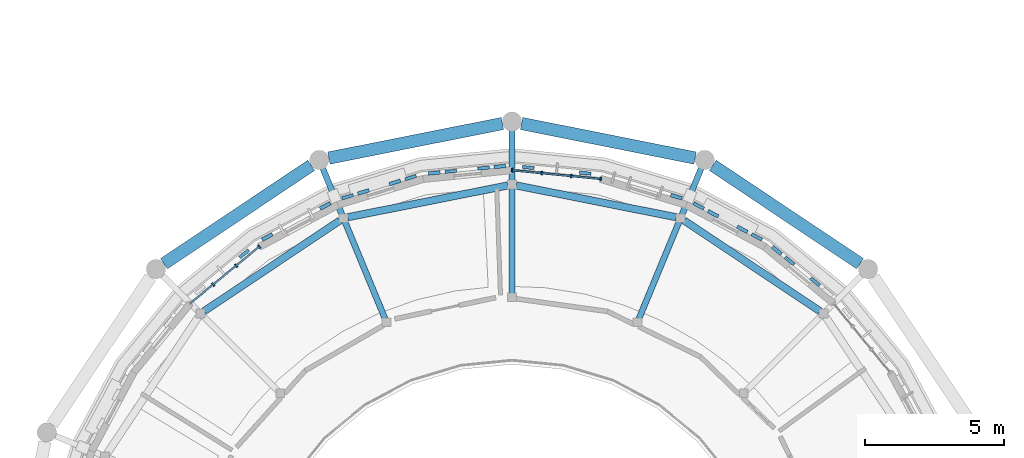
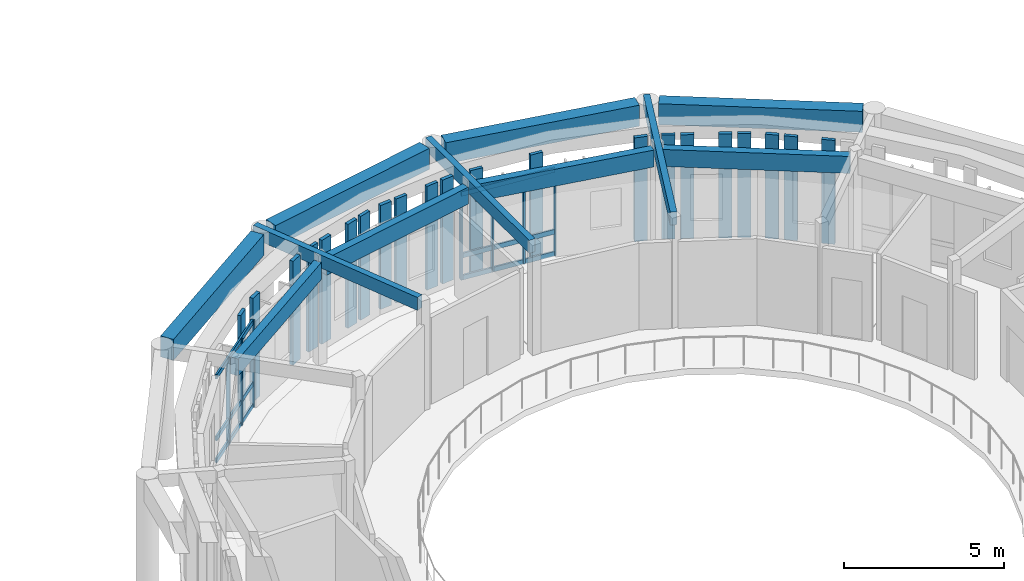
# One storey, part 16 of 80: 37 members, 8 beams, 2 elements without a shape of their own.
"""IFC4 building model written with IfcOpenShell, lengths in metres."""

from ifc_helpers import new_model, si_unit, direction, frame, origin, origin_2d, place, context, subcontext, project, spatial, rectangle, extrude, material, layer, layer_set, material_profile, profile_set, type_object, element, aggregate, save


model = new_model("IFC4")

# Units and contexts
model_context = context("Model", 3, precision=1e-05, world=origin(), true_north=direction((0.0, 1.0)))
body_context = subcontext(model_context, "Body", "Model", "MODEL_VIEW")
ifc_project = project(units=[si_unit("LENGTHUNIT", "METRE"), si_unit("AREAUNIT", "SQUARE_METRE"), si_unit("VOLUMEUNIT", "CUBIC_METRE"), si_unit("PLANEANGLEUNIT", "RADIAN"), si_unit("MASSUNIT", "GRAM", prefix="KILO")], contexts=[model_context])

# Site, building, storey
site_placement = place(None, origin())
site = spatial("IfcSite", under=ifc_project, at=site_placement, CompositionType="ELEMENT")
building_placement = place(site_placement, origin())
building = spatial("IfcBuilding", under=site, at=building_placement, Name="Aldenvaro Health Centre", CompositionType="ELEMENT")
storey_placement = place(building_placement, frame((0.0, 0.0, 4.550048828125)))
storey = spatial("IfcBuildingStorey", under=building, at=storey_placement, Name="L01", CompositionType="ELEMENT", Elevation=4.550048828125)

# Beams
ifc_material_1 = material(Name="Glulam GL28h", Category="wood")
ifc_material_profile_1 = material_profile(ifc_material_1, rectangle(XDim=0.264892578125, YDim=0.64599609375, at=origin_2d()), Name="GL 265x646", Category="wood")
ifc_profile_set_1 = profile_set([ifc_material_profile_1], Name="Glulam GL28h")
beam_type_1 = type_object("IfcBeamType", Name="BM-GL-646", PredefinedType="SPANDREL", material=ifc_profile_set_1)
beam_1_placement = place(storey_placement, frame((98.097900390625, 31.31591796875, 3.636962890625), z_axis=(-0.831411121893, 0.555657760131, 0.0), x_axis=(-0.555657760131, -0.831411121893, 0.0)))
element("IfcBeam", 1, at=beam_1_placement, inside=storey, type_object=beam_type_1, Name="D1 L01 perimeter spandrel 03", PredefinedType="SPANDREL", context=body_context, shape_type="SweptSolid", body=[
    extrude(rectangle(XDim=0.264892578125, YDim=0.64599609375, at=origin_2d()), origin(), (0.0, 0.0, 1.0), 5.88134765625),
])
for number, where, z_axis, x_axis, name in (
    (2, (92.923095703125, 34.701904296875, 3.636962890625), (-0.980795597476, 0.19503844742, 0.0), (-0.19503844742, -0.980795597476, 0.0), "D1 L01 perimeter spandrel 04"),
    (3, (86.845947265625, 35.84912109375, 3.636962890625), (-0.980795597476, -0.19503844742, 0.0), (0.19503844742, -0.980795597476, 0.0), "D1 L01 perimeter spandrel 05"),
):
    element("IfcBeam", number, at=place(storey_placement, frame(where, z_axis=z_axis, x_axis=x_axis)), inside=storey, type_object=beam_type_1, Name=name, PredefinedType="SPANDREL", context=body_context, shape_type="SweptSolid", body=[
        extrude(rectangle(XDim=0.264892578125, YDim=0.64599609375, at=origin_2d()), origin(), (0.0, 0.0, 1.0), 5.882080078125),
    ])
beam_2_placement = place(storey_placement, frame((80.7919921875, 34.583984375, 3.636962890625), z_axis=(-0.831411121893, -0.555657760131, 0.0), x_axis=(0.555657760131, -0.831411121893, 0.0)))
element("IfcBeam", 4, at=beam_2_placement, inside=storey, type_object=beam_type_1, Name="D1 L01 perimeter spandrel 06", PredefinedType="SPANDREL", context=body_context, shape_type="SweptSolid", body=[
    extrude(rectangle(XDim=0.264892578125, YDim=0.64599609375, at=origin_2d()), origin(), (0.0, 0.0, 1.0), 5.88134765625),
])
ifc_material_2 = material(Name="Concrete f'c 40 MPa", Category="concrete")
ifc_material_profile_2 = material_profile(ifc_material_2, rectangle(XDim=0.449951171875, YDim=0.800048828125, at=origin_2d()), Name="RC 450x800", Category="concrete")
ifc_profile_set_2 = profile_set([ifc_material_profile_2], Name="Concrete f'c 40 MPa")
beam_type_2 = type_object("IfcBeamType", Name="BM-RC-800", PredefinedType="SPANDREL", material=ifc_profile_set_2)
beam_3_placement = place(storey_placement, frame((99.54296875, 33.028076171875, 3.800048828125), z_axis=(-0.831425894818, 0.555635655286, 0.0), x_axis=(-0.555635655286, -0.831425894818, 0.0)))
element("IfcBeam", 5, at=beam_3_placement, inside=storey, type_object=beam_type_2, Name="Waiting Rotunda Peristyle Entablature Ring 03", PredefinedType="SPANDREL", context=body_context, shape_type="SweptSolid", body=[
    extrude(rectangle(XDim=0.449951171875, YDim=0.800048828125, at=origin_2d()), origin(), (0.0, 0.0, 1.0), 6.381591796875),
])
for number, where, z_axis, x_axis, name in (
    (6, (93.60302734375, 36.8359375, 3.800048828125), (-0.980758279568, 0.195226015324, 0.0), (-0.195226015324, -0.980758279568, 0.0), "Waiting Rotunda Peristyle Entablature Ring 04"),
    (7, (86.656982421875, 38.08203125, 3.800048828125), (-0.980758279568, -0.195226015324, 0.0), (0.195226015324, -0.980758279568, 0.0), "Waiting Rotunda Peristyle Entablature Ring 05"),
):
    element("IfcBeam", number, at=place(storey_placement, frame(where, z_axis=z_axis, x_axis=x_axis)), inside=storey, type_object=beam_type_2, Name=name, PredefinedType="SPANDREL", context=body_context, shape_type="SweptSolid", body=[
        extrude(rectangle(XDim=0.449951171875, YDim=0.800048828125, at=origin_2d()), origin(), (0.0, 0.0, 1.0), 6.3828125),
    ])
beam_4_placement = place(storey_placement, frame((79.762939453125, 36.573974609375, 3.800048828125), z_axis=(-0.831425894818, -0.555635655286, 0.0), x_axis=(0.555635655286, -0.831425894818, 0.0)))
element("IfcBeam", 8, at=beam_4_placement, inside=storey, type_object=beam_type_2, Name="Waiting Rotunda Peristyle Entablature Ring 06", PredefinedType="SPANDREL", context=body_context, shape_type="SweptSolid", body=[
    extrude(rectangle(XDim=0.449951171875, YDim=0.800048828125, at=origin_2d()), origin(), (0.0, 0.0, 1.0), 6.381591796875),
])

# Curtain wall, members
ifc_material_3 = material(Name="Anodised Aluminium 6063-T6", Category="aluminium")
ifc_layer = layer(ifc_material_3, 0.179931640625, Name="Anodised Aluminium 6063-T6", Category="aluminium")
ifc_layer_set = layer_set([ifc_layer], Name="Anodised Aluminium 6063-T6")
curtain_wall_type = type_object("IfcCurtainWallType", Name="CW-ROT-01", PredefinedType="NOTDEFINED", material=ifc_layer_set)
curtain_wall_1_placement = place(storey_placement, origin())
curtain_wall_1 = element("IfcCurtainWall", 9, at=curtain_wall_1_placement, inside=storey, type_object=curtain_wall_type, Name="D1 L01 curtain wall bay 21", PredefinedType="NOTDEFINED")
ifc_material_profile_3 = material_profile(ifc_material_3, rectangle(XDim=0.06005859375, YDim=0.135009765625, at=origin_2d()), Name="ALU 60x135", Category="aluminium")
ifc_profile_set_3 = profile_set([ifc_material_profile_3], Name="Anodised Aluminium 6063-T6")
member_type_1 = type_object("IfcMemberType", Name="CWM-150", PredefinedType="MULLION", material=ifc_profile_set_3)
member_1_placement = place(storey_placement, frame((76.23193359375, 32.277099609375, 0.0), z_axis=(0.0, 0.0, 1.0), x_axis=(0.773194586776, 0.634168850528, 0.0)))
member_1 = element("IfcMember", 10, at=member_1_placement, type_object=member_type_1, Name="D1 L01 curtain wall bay 21 mullion 2", PredefinedType="MULLION", context=body_context, shape_type="SweptSolid", body=[
    extrude(rectangle(XDim=0.06005859375, YDim=0.135009765625, at=origin_2d()), origin(), (0.0, 0.0, 1.0), 3.31396484375),
])
member_2_placement = place(storey_placement, frame((77.06005859375, 32.9560546875, 0.0), z_axis=(0.0, 0.0, 1.0), x_axis=(0.773194586776, 0.634168850528, 0.0)))
member_2 = element("IfcMember", 11, at=member_2_placement, type_object=member_type_1, Name="D1 L01 curtain wall bay 21 mullion 3", PredefinedType="MULLION", context=body_context, shape_type="SweptSolid", body=[
    extrude(rectangle(XDim=0.06005859375, YDim=0.135009765625, at=origin_2d()), origin(), (0.0, 0.0, 1.0), 3.31396484375),
])
member_3_placement = place(storey_placement, frame((77.888916015625, 33.635986328125, 0.0), z_axis=(0.0, 0.0, 1.0), x_axis=(0.773194586776, 0.634168850528, 0.0)))
member_3 = element("IfcMember", 12, at=member_3_placement, type_object=member_type_1, Name="D1 L01 curtain wall bay 21 mullion 4", PredefinedType="MULLION", context=body_context, shape_type="SweptSolid", body=[
    extrude(rectangle(XDim=0.06005859375, YDim=0.135009765625, at=origin_2d()), origin(), (0.0, 0.0, 1.0), 3.31396484375),
])

curtain_wall_2_placement = place(storey_placement, origin())
curtain_wall_2 = element("IfcCurtainWall", 13, at=curtain_wall_2_placement, inside=storey, type_object=curtain_wall_type, Name="D1 L01 curtain wall bay 25", PredefinedType="NOTDEFINED")
member_4_placement = place(storey_placement, frame((87.0, 36.39990234375, 0.0), z_axis=(0.0, 0.0, 1.0), x_axis=(0.995186971968, -0.097994340783, 0.0)))
member_4 = element("IfcMember", 14, at=member_4_placement, type_object=member_type_1, Name="D1 L01 curtain wall bay 25 mullion 1", PredefinedType="MULLION", context=body_context, shape_type="SweptSolid", body=[
    extrude(rectangle(XDim=0.06005859375, YDim=0.135009765625, at=origin_2d()), origin(), (0.0, 0.0, 1.0), 3.31396484375),
])
member_5_placement = place(storey_placement, frame((88.06591796875, 36.294921875, 0.0), z_axis=(0.0, 0.0, 1.0), x_axis=(0.995186971968, -0.097994340783, 0.0)))
member_5 = element("IfcMember", 15, at=member_5_placement, type_object=member_type_1, Name="D1 L01 curtain wall bay 25 mullion 2", PredefinedType="MULLION", context=body_context, shape_type="SweptSolid", body=[
    extrude(rectangle(XDim=0.06005859375, YDim=0.135009765625, at=origin_2d()), origin(), (0.0, 0.0, 1.0), 3.31396484375),
])
member_6_placement = place(storey_placement, frame((89.133056640625, 36.18994140625, 0.0), z_axis=(0.0, 0.0, 1.0), x_axis=(0.995186971968, -0.097994340783, 0.0)))
member_6 = element("IfcMember", 16, at=member_6_placement, type_object=member_type_1, Name="D1 L01 curtain wall bay 25 mullion 3", PredefinedType="MULLION", context=body_context, shape_type="SweptSolid", body=[
    extrude(rectangle(XDim=0.06005859375, YDim=0.135009765625, at=origin_2d()), origin(), (0.0, 0.0, 1.0), 3.31396484375),
])
member_7_placement = place(storey_placement, frame((90.198974609375, 36.0849609375, 0.0), z_axis=(0.0, 0.0, 1.0), x_axis=(0.995186971968, -0.097994340783, 0.0)))
member_7 = element("IfcMember", 17, at=member_7_placement, type_object=member_type_1, Name="D1 L01 curtain wall bay 25 mullion 4", PredefinedType="MULLION", context=body_context, shape_type="SweptSolid", body=[
    extrude(rectangle(XDim=0.06005859375, YDim=0.135009765625, at=origin_2d()), origin(), (0.0, 0.0, 1.0), 3.31396484375),
])

# Member
ifc_material_profile_4 = material_profile(ifc_material_3, rectangle(XDim=0.06494140625, YDim=0.179931640625, at=origin_2d()), Name="ALU 65x180", Category="aluminium")
ifc_profile_set_4 = profile_set([ifc_material_profile_4], Name="Anodised Aluminium 6063-T6")
member_type_2 = type_object("IfcMemberType", Name="CWT-150", PredefinedType="USERDEFINED", material=ifc_profile_set_4)
member_8_placement = place(storey_placement, frame((75.403076171875, 31.596923828125, 0.06005859375), z_axis=(0.773165020866, 0.634204896314, 0.0), x_axis=(-0.634204896314, 0.773165020866, 0.0)))
member_8 = element("IfcMember", 18, at=member_8_placement, type_object=member_type_2, Name="D1 L01 curtain wall bay 21 transom 1", ObjectType="TRANSOM", PredefinedType="USERDEFINED", context=body_context, shape_type="SweptSolid", body=[
    extrude(rectangle(XDim=0.06494140625, YDim=0.179931640625, at=origin_2d()), origin(), (0.0, 0.0, 1.0), 3.215087890625),
])

member_9_placement = place(storey_placement, frame((75.403076171875, 31.596923828125, 0.89990234375), z_axis=(0.773165020866, 0.634204896314, 0.0), x_axis=(-0.634204896314, 0.773165020866, 0.0)))
member_9 = element("IfcMember", 19, at=member_9_placement, type_object=member_type_2, Name="D1 L01 curtain wall bay 21 transom 2", ObjectType="TRANSOM", PredefinedType="USERDEFINED", context=body_context, shape_type="SweptSolid", body=[
    extrude(rectangle(XDim=0.06494140625, YDim=0.179931640625, at=origin_2d()), origin(), (0.0, 0.0, 1.0), 3.215087890625),
])

member_10_placement = place(storey_placement, frame((75.403076171875, 31.596923828125, 3.25390625), z_axis=(0.773165020866, 0.634204896314, 0.0), x_axis=(-0.634204896314, 0.773165020866, 0.0)))
member_10 = element("IfcMember", 20, at=member_10_placement, type_object=member_type_2, Name="D1 L01 curtain wall bay 21 transom 3", ObjectType="TRANSOM", PredefinedType="USERDEFINED", context=body_context, shape_type="SweptSolid", body=[
    extrude(rectangle(XDim=0.06494140625, YDim=0.179931640625, at=origin_2d()), origin(), (0.0, 0.0, 1.0), 3.215087890625),
])

aggregate(curtain_wall_1, [member_1, member_2, member_3, member_8, member_9, member_10])

member_11_placement = place(storey_placement, frame((87.0, 36.39990234375, 0.06005859375), z_axis=(0.995188673637, -0.097977057849, 0.0), x_axis=(0.097977057849, 0.995188673637, 0.0)))
member_11 = element("IfcMember", 21, at=member_11_placement, type_object=member_type_2, Name="D1 L01 curtain wall bay 25 transom 1", ObjectType="TRANSOM", PredefinedType="USERDEFINED", context=body_context, shape_type="SweptSolid", body=[
    extrude(rectangle(XDim=0.06494140625, YDim=0.179931640625, at=origin_2d()), origin(), (0.0, 0.0, 1.0), 3.21435546875),
])

member_12_placement = place(storey_placement, frame((87.0, 36.39990234375, 0.89990234375), z_axis=(0.995188673637, -0.097977057849, 0.0), x_axis=(0.097977057849, 0.995188673637, 0.0)))
member_12 = element("IfcMember", 22, at=member_12_placement, type_object=member_type_2, Name="D1 L01 curtain wall bay 25 transom 2", ObjectType="TRANSOM", PredefinedType="USERDEFINED", context=body_context, shape_type="SweptSolid", body=[
    extrude(rectangle(XDim=0.06494140625, YDim=0.179931640625, at=origin_2d()), origin(), (0.0, 0.0, 1.0), 3.21435546875),
])

member_13_placement = place(storey_placement, frame((87.0, 36.39990234375, 3.25390625), z_axis=(0.995188673637, -0.097977057849, 0.0), x_axis=(0.097977057849, 0.995188673637, 0.0)))
member_13 = element("IfcMember", 23, at=member_13_placement, type_object=member_type_2, Name="D1 L01 curtain wall bay 25 transom 3", ObjectType="TRANSOM", PredefinedType="USERDEFINED", context=body_context, shape_type="SweptSolid", body=[
    extrude(rectangle(XDim=0.06494140625, YDim=0.179931640625, at=origin_2d()), origin(), (0.0, 0.0, 1.0), 3.21435546875),
])

aggregate(curtain_wall_2, [member_4, member_5, member_6, member_7, member_11, member_12, member_13])

# Members
ifc_material_profile_5 = material_profile(ifc_material_1, rectangle(XDim=0.215087890625, YDim=0.493896484375, at=origin_2d()), Name="GL 215x494", Category="wood")
ifc_profile_set_5 = profile_set([ifc_material_profile_5], Name="Glulam GL28h")
member_type_3 = type_object("IfcMemberType", Name="MEM-RF-494", PredefinedType="RAFTER", material=ifc_profile_set_5)
member_14_placement = place(storey_placement, frame((94.052978515625, 37.027099609375, 3.952880859375), z_axis=(-0.382669478028, -0.923885312463, 0.0), x_axis=(0.923885312463, -0.382669478028, 0.0)))
element("IfcMember", 24, at=member_14_placement, inside=storey, type_object=member_type_3, Name="Waiting Rotunda Cornice Outrigger Rafter 04", PredefinedType="RAFTER", context=body_context, shape_type="SweptSolid", body=[
    extrude(rectangle(XDim=0.215087890625, YDim=0.493896484375, at=origin_2d()), origin(), (0.0, 0.0, 1.0), 6.470458984375),
])
member_15_placement = place(storey_placement, frame((87.0, 38.429931640625, 3.952880859375), z_axis=(0.0, -1.0, 0.0), x_axis=(1.0, 0.0, 0.0)))
element("IfcMember", 25, at=member_15_placement, inside=storey, type_object=member_type_3, Name="Waiting Rotunda Cornice Outrigger Rafter 05", PredefinedType="RAFTER", context=body_context, shape_type="SweptSolid", body=[
    extrude(rectangle(XDim=0.215087890625, YDim=0.493896484375, at=origin_2d()), origin(), (0.0, 0.0, 1.0), 6.469970703125),
])
member_16_placement = place(storey_placement, frame((79.947021484375, 37.027099609375, 3.952880859375), z_axis=(0.382669478028, -0.923885312463, 0.0), x_axis=(0.923885312463, 0.382669478028, 0.0)))
element("IfcMember", 26, at=member_16_placement, inside=storey, type_object=member_type_3, Name="Waiting Rotunda Cornice Outrigger Rafter 06", PredefinedType="RAFTER", context=body_context, shape_type="SweptSolid", body=[
    extrude(rectangle(XDim=0.215087890625, YDim=0.493896484375, at=origin_2d()), origin(), (0.0, 0.0, 1.0), 6.470458984375),
])
ifc_material_profile_6 = material_profile(ifc_material_1, rectangle(XDim=0.114990234375, YDim=0.419921875, at=origin_2d()), Name="GL 115x420", Category="wood")
ifc_profile_set_6 = profile_set([ifc_material_profile_6], Name="Glulam GL28h")
member_type_4 = type_object("IfcMemberType", Name="MEM-SLT-420A", PredefinedType="POST", material=ifc_profile_set_6)
for number, where, z_axis, x_axis, name in (
    (27, (77.345947265625, 33.385009765625, 0.0), (0.0, 0.0, 1.0), (-0.634168850528, 0.773194586776, 0.0), "D1 L01 curtain mullion timber slat 21"),
    (28, (81.074951171875, 35.44091796875, 0.0), (0.0, 0.0, 1.0), (-0.290171396605, 0.95697469172, 0.0), "D1 L01 vertical timber slat 23.1"),
    (29, (83.347900390625, 36.131103515625, 0.0), (0.0, 0.0, 1.0), (-0.290171396605, 0.95697469172, 0.0), "D1 L01 vertical timber slat 23.5"),
    (30, (84.79296875, 36.35791015625, 0.0), (0.0, 0.0, 1.0), (-0.097994340783, 0.995186971968, 0.0), "D1 L01 vertical timber slat 24.2"),
    (31, (85.97412109375, 36.47509765625, 0.0), (0.0, 0.0, 1.0), (-0.097994340783, 0.995186971968, 0.0), "D1 L01 vertical timber slat 24.4"),
    (32, (87.591064453125, 36.492919921875, 0.0), (0.0, 0.0, 1.0), (0.097994340783, 0.995186971968, 0.0), "D1 L01 curtain mullion timber slat 25"),
    (33, (89.637939453125, 36.291015625, 0.0), (0.0, 0.0, 1.0), (0.097994340783, 0.995186971968, 0.0), "D1 L01 curtain mullion timber slat 25"),
    (34, (93.72900390625, 35.10791015625, 0.0), (0.0, 0.0, 1.0), (0.471556629455, 0.88183578132, 0.0), "D1 L01 vertical timber slat 27.1"),
    (35, (95.822998046875, 33.988037109375, 0.0), (0.0, 0.0, 1.0), (0.471556629455, 0.88183578132, 0.0), "D1 L01 vertical timber slat 27.5"),
    (36, (97.006103515625, 33.1279296875, 0.0), (0.0, 0.0, 1.0), (0.634168850528, 0.773194586776, 0.0), "D1 L01 vertical timber slat 28.2"),
    (37, (97.924072265625, 32.375, 0.0), (0.0, 0.0, 1.0), (0.634168850528, 0.773194586776, 0.0), "D1 L01 vertical timber slat 28.4"),
):
    element("IfcMember", number, at=place(storey_placement, frame(where, z_axis=z_axis, x_axis=x_axis)), inside=storey, type_object=member_type_4, Name=name, PredefinedType="POST", context=body_context, shape_type="SweptSolid", body=[
        extrude(rectangle(XDim=0.114990234375, YDim=0.419921875, at=origin_2d()), origin(), (0.0, 0.0, 1.0), 3.9599609375),
    ])
ifc_material_profile_7 = material_profile(ifc_material_1, rectangle(XDim=0.1298828125, YDim=0.419921875, at=origin_2d()), Name="GL 130x420", Category="wood")
ifc_profile_set_7 = profile_set([ifc_material_profile_7], Name="Glulam GL28h")
member_type_5 = type_object("IfcMemberType", Name="MEM-SLT-420B", PredefinedType="POST", material=ifc_profile_set_7)
for number, where, z_axis, x_axis, name in (
    (38, (78.177001953125, 33.988037109375, 0.0), (0.0, 0.0, 1.0), (-0.471556629455, 0.88183578132, 0.0), "D1 L01 vertical timber slat 22.1"),
    (39, (80.27099609375, 35.10791015625, 0.0), (0.0, 0.0, 1.0), (-0.471556629455, 0.88183578132, 0.0), "D1 L01 vertical timber slat 22.5"),
    (40, (81.64306640625, 35.614013671875, 0.0), (0.0, 0.0, 1.0), (-0.290171396605, 0.95697469172, 0.0), "D1 L01 vertical timber slat 23.2"),
    (41, (82.780029296875, 35.9580078125, 0.0), (0.0, 0.0, 1.0), (-0.290171396605, 0.95697469172, 0.0), "D1 L01 vertical timber slat 23.4"),
    (42, (84.201904296875, 36.300048828125, 0.0), (0.0, 0.0, 1.0), (-0.097994340783, 0.995186971968, 0.0), "D1 L01 vertical timber slat 24.1"),
    (43, (86.56494140625, 36.532958984375, 0.0), (0.0, 0.0, 1.0), (-0.097994340783, 0.995186971968, 0.0), "D1 L01 vertical timber slat 24.5"),
    (44, (92.925048828125, 35.44091796875, 0.0), (0.0, 0.0, 1.0), (0.290171396605, 0.95697469172, 0.0), "D1 L01 vertical timber slat 26.5"),
    (45, (94.251953125, 34.827880859375, 0.0), (0.0, 0.0, 1.0), (0.471556629455, 0.88183578132, 0.0), "D1 L01 vertical timber slat 27.2"),
    (46, (95.300048828125, 34.26806640625, 0.0), (0.0, 0.0, 1.0), (0.471556629455, 0.88183578132, 0.0), "D1 L01 vertical timber slat 27.4"),
    (47, (96.547119140625, 33.5048828125, 0.0), (0.0, 0.0, 1.0), (0.634168850528, 0.773194586776, 0.0), "D1 L01 vertical timber slat 28.1"),
):
    element("IfcMember", number, at=place(storey_placement, frame(where, z_axis=z_axis, x_axis=x_axis)), inside=storey, type_object=member_type_5, Name=name, PredefinedType="POST", context=body_context, shape_type="SweptSolid", body=[
        extrude(rectangle(XDim=0.1298828125, YDim=0.419921875, at=origin_2d()), origin(), (0.0, 0.0, 1.0), 3.9599609375),
    ])

save(model, "model.ifc")
